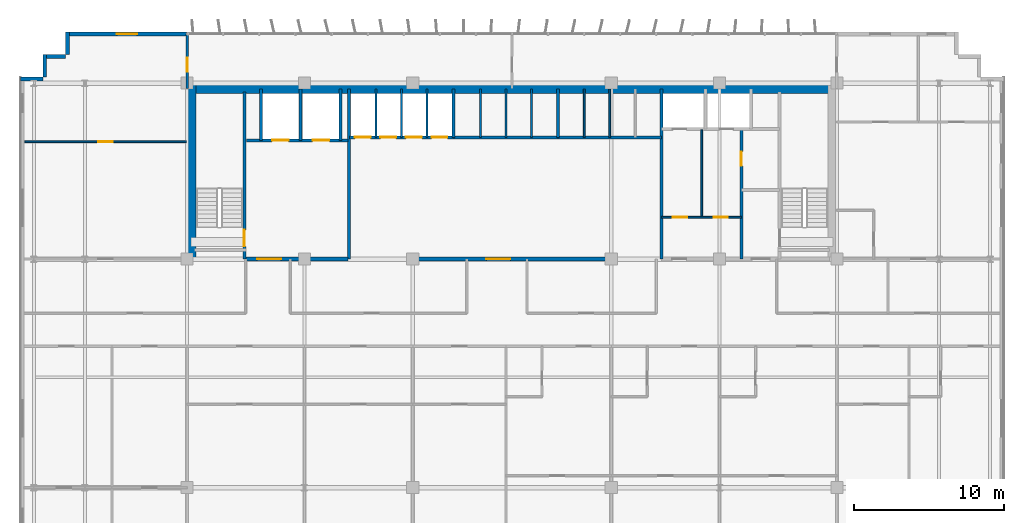
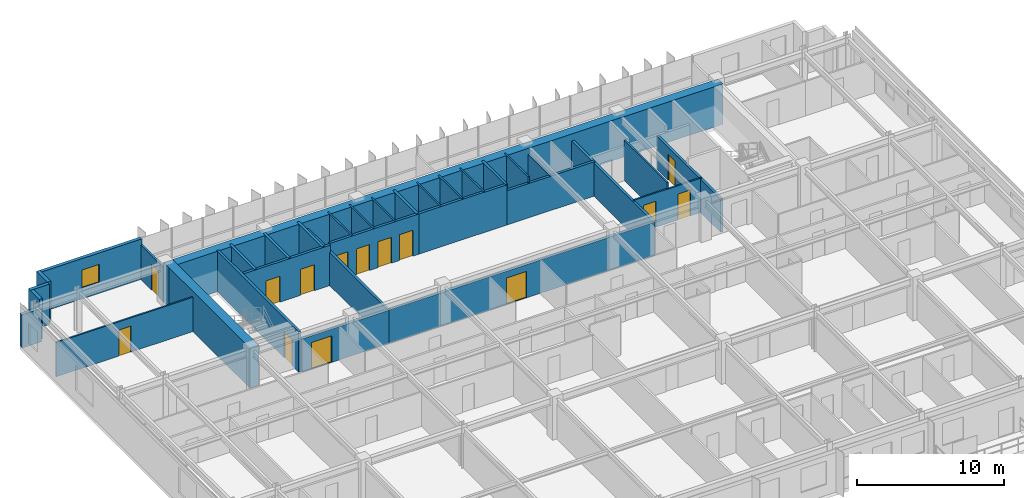
# One storey, part 17 of 22: 34 walls, 14 doors, 1 window, 15 openings.
"""IFC4 building model written with IfcOpenShell, lengths in metres."""

import ifcopenshell
import ifcopenshell.guid

model = None  # the IFC model being written
_history = None  # IfcOwnerHistory: only IFC2X3 demands one
_inside = {}  # id of a spatial element -> (the spatial element, [elements in it])
_under = {}  # id of a project, library or spatial element -> (it, [spatial elements below it])
_declared = {}  # id of a project -> (the project, [libraries it declares])
_typed = {}  # id of a type object -> (the type object, [elements of that type])
_made_of = {}  # id of a material, layer set ... -> (it, [elements and type objects made of it])


def new_model(schema):
    """Start an empty IFC model of exactly this schema.

    Asked for "IFC4X3", IfcOpenShell would pick the latest addendum, in which some entities
    have other attributes; the version numbers below select the first issue.
    IFC2X3 requires an IfcOwnerHistory on every rooted entity: one is made here for all.
    """
    global model, _history
    if schema == "IFC4X3":
        model = ifcopenshell.file(schema_version=(4, 3, 0, 0))
    else:
        model = ifcopenshell.file(schema=schema)
    _inside.clear()
    _under.clear()
    _declared.clear()
    _typed.clear()
    _made_of.clear()
    _history = None
    if model.schema == "IFC2X3":
        org = make("IfcOrganization", Name="unknown")
        user = make(
            "IfcPersonAndOrganization",
            ThePerson=make("IfcPerson", FamilyName="unknown"),
            TheOrganization=org,
        )
        app = make(
            "IfcApplication",
            ApplicationDeveloper=org,
            Version="unknown",
            ApplicationFullName="unknown",
            ApplicationIdentifier="unknown",
        )
        _history = make(
            "IfcOwnerHistory",
            OwningUser=user,
            OwningApplication=app,
            ChangeAction="ADDED",
            CreationDate=0,
        )
    return model


def make(cls, **values):
    """One entity of the class cls with the attributes given. An attribute that is None is left unset."""
    return model.create_entity(
        cls, **{name: value for name, value in values.items() if value is not None}
    )


def rooted(cls, **values):
    """An entity with a GlobalId (a new one), such as an element, a storey or a relation."""
    return make(cls, GlobalId=ifcopenshell.guid.new(), OwnerHistory=_history, **values)


def si_unit(unit_type, name, prefix=None):
    """IfcSIUnit, for example si_unit("LENGTHUNIT", "METRE", prefix="MILLI")."""
    return make("IfcSIUnit", UnitType=unit_type, Prefix=prefix, Name=name)


def assignment(units):
    """IfcUnitAssignment: the units of a project."""
    return None if units is None else make("IfcUnitAssignment", Units=units)


def point(xyz):
    """IfcCartesianPoint."""
    return None if xyz is None else make("IfcCartesianPoint", Coordinates=xyz)


def direction(xyz):
    """IfcDirection."""
    return None if xyz is None else make("IfcDirection", DirectionRatios=xyz)


def frame(location, z_axis=None, x_axis=None):
    """IfcAxis2Placement3D, a coordinate frame: its origin and axes. An axis left out is left unset."""
    return make(
        "IfcAxis2Placement3D",
        Location=point(location),
        Axis=direction(z_axis),
        RefDirection=direction(x_axis),
    )


def frame_2d(location, x_axis=None):
    """IfcAxis2Placement2D, a coordinate frame in the plane: its origin and x axis."""
    return make(
        "IfcAxis2Placement2D", Location=point(location), RefDirection=direction(x_axis)
    )


def origin():
    """The frame at (0, 0, 0) with its axes left unset."""
    return frame((0.0, 0.0, 0.0))


def place(relative_to, where):
    """IfcLocalPlacement: puts the frame where relative to a parent placement (None: the world)."""
    return make(
        "IfcLocalPlacement", PlacementRelTo=relative_to, RelativePlacement=where
    )


def context(
    kind, dimensions, precision=None, world=None, true_north=None, identifier=None
):
    """IfcGeometricRepresentationContext, for example the 3D "Model" context."""
    return make(
        "IfcGeometricRepresentationContext",
        ContextIdentifier=identifier,
        ContextType=kind,
        CoordinateSpaceDimension=dimensions,
        Precision=precision,
        WorldCoordinateSystem=world,
        TrueNorth=true_north,
    )


def subcontext(parent, identifier, kind, view, scale=None):
    """IfcGeometricRepresentationSubContext, for example "Body" below "Model"."""
    return make(
        "IfcGeometricRepresentationSubContext",
        ContextIdentifier=identifier,
        ContextType=kind,
        ParentContext=parent,
        TargetScale=scale,
        TargetView=view,
    )


def project(units=None, contexts=None):
    """IfcProject with its units and contexts."""
    return rooted(
        "IfcProject",
        Name="project",
        RepresentationContexts=contexts,
        UnitsInContext=assignment(units),
    )


def spatial(cls, under=None, at=None, **own):
    """A site, building, storey or space (cls), placed at a placement, below another one or the project."""
    s = rooted(cls, ObjectPlacement=at, **own)
    if under is not None:
        _under.setdefault(under.id(), (under, []))[1].append(s)
    return s


def profile(cls, at=None, kind="AREA", **sizes):
    """A parametric profile (cls). Its sizes go by their IFC names, for example OverallWidth=200.0."""
    return make(cls, ProfileType=kind, Position=at, **sizes)


def rectangle(**sizes):
    """IfcRectangleProfileDef."""
    return profile("IfcRectangleProfileDef", **sizes)


def extrude(swept, where, along, depth):
    """IfcExtrudedAreaSolid: the profile swept, set in the frame where, extruded along a direction by depth."""
    return make(
        "IfcExtrudedAreaSolid",
        SweptArea=swept,
        Position=where,
        ExtrudedDirection=direction(along),
        Depth=depth,
    )


def shape(context_of_items, identifier, shape_type, items):
    """IfcShapeRepresentation: the items that make up one representation, for example the "Body"."""
    return make(
        "IfcShapeRepresentation",
        ContextOfItems=context_of_items,
        RepresentationIdentifier=identifier,
        RepresentationType=shape_type,
        Items=items,
    )


def source(mapping_origin, context_of_items, identifier, shape_type, items):
    """IfcRepresentationMap: a shape defined once, which mapped items show again and again."""
    return make(
        "IfcRepresentationMap",
        MappingOrigin=mapping_origin,
        MappedRepresentation=shape(context_of_items, identifier, shape_type, items),
    )


def transform(
    local_origin,
    x_axis=None,
    y_axis=None,
    z_axis=None,
    scale=None,
    scale2=None,
    scale3=None,
    uniform=True,
):
    """IfcCartesianTransformationOperator3D, or its non-uniform kind. x_axis, y_axis, z_axis: its Axis1, 2, 3."""
    if uniform:
        return make(
            "IfcCartesianTransformationOperator3D",
            Axis1=direction(x_axis),
            Axis2=direction(y_axis),
            LocalOrigin=point(local_origin),
            Scale=scale,
            Axis3=direction(z_axis),
        )
    return make(
        "IfcCartesianTransformationOperator3DnonUniform",
        Axis1=direction(x_axis),
        Axis2=direction(y_axis),
        LocalOrigin=point(local_origin),
        Scale=scale,
        Axis3=direction(z_axis),
        Scale2=scale2,
        Scale3=scale3,
    )


def mapped(mapping_source, mapping_target):
    """IfcMappedItem: shows the shape of a source again, moved by a transform."""
    return make(
        "IfcMappedItem", MappingSource=mapping_source, MappingTarget=mapping_target
    )


def material(Name=None, Category=None):
    """IfcMaterial."""
    return make("IfcMaterial", Name=Name, Category=Category)


def layer(
    of_material, thickness, ventilated=None, Name=None, Category=None, Priority=None
):
    """IfcMaterialLayer: one layer of a wall or slab, of a material (None: an air gap)."""
    return make(
        "IfcMaterialLayer",
        Material=of_material,
        LayerThickness=thickness,
        IsVentilated=ventilated,
        Name=Name,
        Category=Category,
        Priority=Priority,
    )


def layer_set(layers, Name=None):
    """IfcMaterialLayerSet."""
    return make("IfcMaterialLayerSet", MaterialLayers=layers, LayerSetName=Name)


def made_of(thing, what):
    """Note that an element or type object is made of a material, layer set ...; save() writes the relation."""
    if what is not None:
        _made_of.setdefault(what.id(), (what, []))[1].append(thing)
    return thing


def type_object(cls, material=None, **own):
    """A type object (cls), such as IfcWallType, which elements share."""
    return made_of(rooted(cls, **own), material)


def element(
    cls,
    number,
    at=None,
    inside=None,
    cuts=None,
    type_object=None,
    material=None,
    context=None,
    identifier="Body",
    shape_type=None,
    held_by="IfcProductDefinitionShape",
    body=None,
    shapes=None,
    **own,
):
    """One element of the class cls, such as IfcWall. Its Tag is "e" and its number.

    at: its placement. inside: the storey or other place that contains it. cuts: it is an
    opening in that element (IfcRelVoidsElement). A single representation is given by context,
    identifier, shape_type and body (its items); several are given by shapes. held_by: the class
    of the entity that holds the representations. save() writes the other relations.
    """
    e = rooted(cls, Tag="e%d" % number, ObjectPlacement=at, **own)
    if body is not None:
        shapes = [shape(context, identifier, shape_type, body)]
    if shapes is not None:
        e.Representation = make(held_by, Representations=shapes)
    if inside is not None:
        _inside.setdefault(inside.id(), (inside, []))[1].append(e)
    if cuts is not None:
        rooted(
            "IfcRelVoidsElement", RelatingBuildingElement=cuts, RelatedOpeningElement=e
        )
    if type_object is not None:
        _typed.setdefault(type_object.id(), (type_object, []))[1].append(e)
    return made_of(e, material)


def fill(opening, filler):
    """IfcRelFillsElement: the door or window that sits in an opening."""
    return rooted(
        "IfcRelFillsElement",
        RelatingOpeningElement=opening,
        RelatedBuildingElement=filler,
    )


def aggregate(whole, parts):
    """IfcRelAggregates: a whole, such as a stair, and the parts it consists of."""
    return rooted("IfcRelAggregates", RelatingObject=whole, RelatedObjects=parts)


def save(model, path):
    """Write the relations noted so far, then the file.

    IfcRelAggregates (storeys below a building ...), IfcRelContainedInSpatialStructure (elements
    in a storey), IfcRelDefinesByType, IfcRelAssociatesMaterial and IfcRelDeclares: one each for
    every whole, place, type object, material and project.
    """
    for whole, parts in _under.values():
        aggregate(whole, parts)
    for where, things in _inside.values():
        rooted(
            "IfcRelContainedInSpatialStructure",
            RelatedElements=things,
            RelatingStructure=where,
        )
    for kind, things in _typed.values():
        rooted("IfcRelDefinesByType", RelatedObjects=things, RelatingType=kind)
    for what, things in _made_of.values():
        rooted("IfcRelAssociatesMaterial", RelatedObjects=things, RelatingMaterial=what)
    for by, libraries in _declared.values():
        rooted("IfcRelDeclares", RelatingContext=by, RelatedDefinitions=libraries)
    model.write(path)


model = new_model("IFC4")

# Units and contexts
model_context = context("Model", 3, precision=1e-05, world=origin(), true_north=direction((0.0, 1.0)))
body_context = subcontext(model_context, "Body", "Model", "MODEL_VIEW")
ifc_project = project(units=[si_unit("LENGTHUNIT", "METRE"), si_unit("AREAUNIT", "SQUARE_METRE"), si_unit("VOLUMEUNIT", "CUBIC_METRE"), si_unit("PLANEANGLEUNIT", "RADIAN"), si_unit("MASSUNIT", "GRAM", prefix="KILO")], contexts=[model_context])

# Site, building, storey
site_placement = place(None, origin())
site = spatial("IfcSite", under=ifc_project, at=site_placement, CompositionType="ELEMENT")
building_placement = place(site_placement, origin())
building = spatial("IfcBuilding", under=site, at=building_placement, Name="Trelvane Seafront Commons", CompositionType="ELEMENT")
storey_placement = place(building_placement, frame((0.0, 0.0, 85.300048828125)))
storey = spatial("IfcBuildingStorey", under=building, at=storey_placement, Name="L21", CompositionType="ELEMENT", Elevation=85.300048828125)

# Wall, opening, window
ifc_material_1 = material(Name="Precast concrete C40/50", Category="concrete")
ifc_layer_1 = layer(ifc_material_1, 0.260009765625, Name="ARCH-WALL-EXT260")
ifc_layer_set_1 = layer_set([ifc_layer_1], Name="Precast concrete C40/50")
wall_type_1 = type_object("IfcWallType", Name="ARCH-WALL-EXT260", PredefinedType="SOLIDWALL", material=ifc_layer_set_1)
wall_1_placement = place(storey_placement, frame((7.60009765625, 48.3701171875, 0.0), z_axis=(0.0, 0.0, 1.0), x_axis=(1.0, 0.0, 0.0)))
wall_1 = element("IfcWall", 1, at=wall_1_placement, inside=storey, type_object=wall_type_1, Name="EW-L21-NW-0370", PredefinedType="SOLIDWALL", context=body_context, shape_type="SweptSolid", body=[
    extrude(rectangle(XDim=8.0, YDim=0.260009765625, at=frame_2d((4.0, 0.0))), origin(), (0.0, 0.0, 1.0), 3.33984375),
])
opening_1_placement = place(wall_1_placement, frame((3.324951171875, 0.0, 0.89990234375)))
opening_1 = element("IfcOpeningElement", 2, at=opening_1_placement, cuts=wall_1, Name="Opening W09", PredefinedType="OPENING", context=body_context, shape_type="SweptSolid", body=[
    extrude(rectangle(XDim=1.35009765625, YDim=1.5, at=frame_2d((0.675048828125, 0.75))), frame((0.0, 0.139892578125, 0.0), z_axis=(0.0, -1.0, 0.0), x_axis=(1.0, 0.0, 0.0)), (0.0, 0.0, 1.0), 0.280029296875),
])
ifc_material_2 = material(Name="Low-E coastal double glazing", Category="glass")
window_type = type_object("IfcWindowType", Name="ARCH-WIN-W09", PartitioningType="SINGLE_PANEL", PredefinedType="WINDOW", material=ifc_material_2)
shared_shape_1 = source(origin(), body_context, "Body", "SweptSolid", [
    extrude(rectangle(XDim=1.35009765625, YDim=1.5, at=frame_2d((0.675048828125, 0.75))), frame((0.0, 0.030029296875, 0.0), z_axis=(0.0, -1.0, 0.0), x_axis=(1.0, 0.0, 0.0)), (0.0, 0.0, 1.0), 0.06005859375),
])
window_placement = place(opening_1_placement, origin())
window = element("IfcWindow", 3, at=window_placement, inside=storey, type_object=window_type, Name="WIN-L21-00422", OverallHeight=1.5, OverallWidth=1.35009765625, PartitioningType="SINGLE_PANEL", PredefinedType="WINDOW", context=body_context, shape_type="MappedRepresentation", body=[
    mapped(shared_shape_1, transform((0.0, 0.0, 0.0), x_axis=(1.0, 0.0, 0.0), y_axis=(0.0, 1.0, 0.0), z_axis=(0.0, 0.0, 1.0), scale=1.0)),
])
fill(opening_1, window)

# Walls
wall_2_placement = place(storey_placement, frame((4.5, 45.3701171875, 0.0), z_axis=(0.0, 0.0, 1.0), x_axis=(1.0, 0.0, 0.0)))
element("IfcWall", 4, at=wall_2_placement, inside=storey, type_object=wall_type_1, Name="EW-L21-00376", PredefinedType="SOLIDWALL", context=body_context, shape_type="SweptSolid", body=[
    extrude(rectangle(XDim=1.5, YDim=0.260009765625, at=frame_2d((0.75, 0.0))), origin(), (0.0, 0.0, 1.0), 2.751953125),
])
for number, where, z_axis, x_axis, name in (
    (5, (6.1298828125, 45.5, 0.0), (0.0, 0.0, 1.0), (0.0, 1.0, 0.0), "EW-L21-00377"),
    (6, (6.0, 46.8701171875, 0.0), (0.0, 0.0, 1.0), (1.0, 0.0, 0.0), "EW-L21-00378"),
    (7, (7.6298828125, 47.0, 0.0), (0.0, 0.0, 1.0), (0.0, 1.0, 0.0), "EW-L21-00379"),
):
    element("IfcWall", number, at=place(storey_placement, frame(where, z_axis=z_axis, x_axis=x_axis)), inside=storey, type_object=wall_type_1, Name=name, PredefinedType="SOLIDWALL", context=body_context, shape_type="SweptSolid", body=[
        extrude(rectangle(XDim=1.5, YDim=0.260009765625, at=frame_2d((0.75, 0.0))), origin(), (0.0, 0.0, 1.0), 3.33984375),
    ])

# Wall, opening, door
ifc_material_3 = material(Name="Concrete C40/50", Category="concrete")
ifc_layer_2 = layer(ifc_material_3, 0.199951171875, Name="ARCH-WALL-FIRE200")
ifc_layer_set_2 = layer_set([ifc_layer_2], Name="Concrete C40/50")
wall_type_2 = type_object("IfcWallType", Name="ARCH-WALL-FIRE200", PredefinedType="PARTITIONING", material=ifc_layer_set_2)
wall_3_placement = place(storey_placement, frame((52.449951171875, 33.39990234375, 0.0), z_axis=(0.0, 0.0, 1.0), x_axis=(0.0, 1.0, 0.0)))
wall_3 = element("IfcWall", 8, at=wall_3_placement, inside=storey, type_object=wall_type_2, Name="W-L21-ST2V-W-033", PredefinedType="PARTITIONING", context=body_context, shape_type="SweptSolid", body=[
    extrude(rectangle(XDim=8.650146484375, YDim=0.199951171875, at=frame_2d((4.3251953125, 0.0))), origin(), (0.0, 0.0, 1.0), 2.751953125),
])
opening_2_placement = place(wall_3_placement, frame((6.199951171875, 0.0, 0.0)))
opening_2 = element("IfcOpeningElement", 9, at=opening_2_placement, cuts=wall_3, Name="Opening FD-L21-13", PredefinedType="OPENING", context=body_context, shape_type="SweptSolid", body=[
    extrude(rectangle(XDim=0.949951171875, YDim=2.14990234375, at=frame_2d((0.47509765625, 1.074951171875))), frame((0.0, 0.10986328125, 0.0), z_axis=(0.0, -1.0, 0.0), x_axis=(1.0, 0.0, 0.0)), (0.0, 0.0, 1.0), 0.219970703125),
])
ifc_material_4 = material(Name="Powder-coated aluminium frame", Category="aluminium")
door_type_1 = type_object("IfcDoorType", Name="ARCH-DR-FD60-950", OperationType="NOTDEFINED", PredefinedType="DOOR", material=ifc_material_4)
shared_shape_2 = source(origin(), body_context, "Body", "SweptSolid", [
    extrude(rectangle(XDim=0.949951171875, YDim=2.14990234375, at=frame_2d((0.47509765625, 1.074951171875))), frame((0.0, 0.02490234375, 0.0), z_axis=(0.0, -1.0, 0.0), x_axis=(1.0, 0.0, 0.0)), (0.0, 0.0, 1.0), 0.050048828125),
])
door_1_placement = place(opening_2_placement, origin())
door_1 = element("IfcDoor", 10, at=door_1_placement, inside=storey, type_object=door_type_1, Name="L21 Cleaner Store Door", OperationType="SINGLE_SWING_LEFT", OverallHeight=2.14990234375, OverallWidth=0.949951171875, PredefinedType="DOOR", context=body_context, shape_type="MappedRepresentation", body=[
    mapped(shared_shape_2, transform((0.0, 0.0, 0.0), x_axis=(1.0, 0.0, 0.0), y_axis=(0.0, 1.0, 0.0), z_axis=(0.0, 0.0, 1.0), scale=1.0)),
])
fill(opening_2, door_1)

ifc_layer_3 = layer(ifc_material_3, 0.25, Name="ARCH-WALL-FIRE250")
ifc_layer_set_3 = layer_set([ifc_layer_3], Name="Concrete C40/50")
wall_type_3 = type_object("IfcWallType", Name="ARCH-WALL-FIRE250", PredefinedType="PARTITIONING", material=ifc_layer_set_3)
wall_4_placement = place(storey_placement, frame((19.5, 33.39990234375, 0.0), z_axis=(0.0, 0.0, 1.0), x_axis=(1.0, 0.0, 0.0)))
wall_4 = element("IfcWall", 11, at=wall_4_placement, inside=storey, type_object=wall_type_3, Name="W-L21-CS-FFL-013", PredefinedType="PARTITIONING", context=body_context, shape_type="SweptSolid", body=[
    extrude(rectangle(XDim=6.800048828125, YDim=0.25, at=frame_2d((3.39990234375, 0.0))), origin(), (0.0, 0.0, 1.0), 2.751953125),
])
opening_3_placement = place(wall_4_placement, frame((0.75, 0.0, 0.0)))
opening_3 = element("IfcOpeningElement", 12, at=opening_3_placement, cuts=wall_4, Name="Opening FD-L21-05", PredefinedType="OPENING", context=body_context, shape_type="SweptSolid", body=[
    extrude(rectangle(XDim=1.60009765625, YDim=2.199951171875, at=frame_2d((0.800048828125, 1.10009765625))), frame((0.0, 0.135009765625, 0.0), z_axis=(0.0, -1.0, 0.0), x_axis=(1.0, 0.0, 0.0)), (0.0, 0.0, 1.0), 0.27001953125),
])
door_type_2 = type_object("IfcDoorType", Name="ARCH-DR-FD60-1600", OperationType="DOUBLE_DOOR_SINGLE_SWING", PredefinedType="DOOR", material=ifc_material_4)
shared_shape_3 = source(origin(), body_context, "Body", "SweptSolid", [
    extrude(rectangle(XDim=1.60009765625, YDim=2.199951171875, at=frame_2d((0.800048828125, 1.10009765625))), frame((0.0, 0.02490234375, 0.0), z_axis=(0.0, -1.0, 0.0), x_axis=(1.0, 0.0, 0.0)), (0.0, 0.0, 1.0), 0.050048828125),
])
door_2_placement = place(opening_3_placement, origin())
door_2 = element("IfcDoor", 13, at=door_2_placement, inside=storey, type_object=door_type_2, Name="L21 Firefighting Lift Lobby Double Fire Door", OperationType="DOUBLE_DOOR_SINGLE_SWING", OverallHeight=2.199951171875, OverallWidth=1.60009765625, PredefinedType="DOOR", context=body_context, shape_type="MappedRepresentation", body=[
    mapped(shared_shape_3, transform((0.0, 0.0, 0.0), x_axis=(1.0, 0.0, 0.0), y_axis=(0.0, 1.0, 0.0), z_axis=(0.0, 0.0, 1.0), scale=1.0)),
])
fill(opening_3, door_2)

wall_5_placement = place(storey_placement, frame((26.300048828125, 33.39990234375, 0.0), z_axis=(0.0, 0.0, 1.0), x_axis=(1.0, 0.0, 0.0)))
wall_5 = element("IfcWall", 14, at=wall_5_placement, inside=storey, type_object=wall_type_3, Name="W-L21-CS-PAX-029", PredefinedType="PARTITIONING", context=body_context, shape_type="SweptSolid", body=[
    extrude(rectangle(XDim=20.849853515625, YDim=0.25, at=frame_2d((10.4248046875, 0.0))), origin(), (0.0, 0.0, 1.0), 2.751953125),
])
opening_4_placement = place(wall_5_placement, frame((9.199951171875, 0.0, 0.0)))
opening_4 = element("IfcOpeningElement", 15, at=opening_4_placement, cuts=wall_5, Name="Opening FD-L21-10", PredefinedType="OPENING", context=body_context, shape_type="SweptSolid", body=[
    extrude(rectangle(XDim=1.60009765625, YDim=2.199951171875, at=frame_2d((0.800048828125, 1.10009765625))), frame((0.0, 0.135009765625, 0.0), z_axis=(0.0, -1.0, 0.0), x_axis=(1.0, 0.0, 0.0)), (0.0, 0.0, 1.0), 0.27001953125),
])
door_3_placement = place(opening_4_placement, origin())
door_3 = element("IfcDoor", 16, at=door_3_placement, inside=storey, type_object=door_type_2, Name="L21 Passenger Lift Lobby Double Door", OperationType="DOUBLE_DOOR_SINGLE_SWING", OverallHeight=2.199951171875, OverallWidth=1.60009765625, PredefinedType="DOOR", context=body_context, shape_type="MappedRepresentation", body=[
    mapped(shared_shape_3, transform((0.0, 0.0, 0.0), x_axis=(1.0, 0.0, 0.0), y_axis=(0.0, 1.0, 0.0), z_axis=(0.0, 0.0, 1.0), scale=1.0)),
])
fill(opening_4, door_3)

# Walls
ifc_material_5 = material(Name="Gypsum Drywall Acoustic Partition")
ifc_layer_4 = layer(ifc_material_5, 0.1201171875, Name="ARCH-WALL-PART120")
ifc_layer_set_4 = layer_set([ifc_layer_4], Name="Gypsum Drywall Acoustic Partition")
wall_type_4 = type_object("IfcWallType", Name="ARCH-WALL-PART120", PredefinedType="PARTITIONING", material=ifc_layer_set_4)
for number, where, z_axis, x_axis, name in (
    (17, (28.14990234375, 41.5, 0.0), (0.0, 0.0, 1.0), (0.0, 1.0, 0.0), "W-L21-PL-DIV1-016"),
    (18, (29.85009765625, 41.5, 0.0), (0.0, 0.0, 1.0), (0.0, 1.0, 0.0), "W-L21-PL-DIV2-017"),
    (19, (31.550048828125, 41.5, 0.0), (0.0, 0.0, 1.0), (0.0, 1.0, 0.0), "W-L21-PL-DIV3-018"),
    (20, (35.10009765625, 41.5, 0.0), (0.0, 0.0, 1.0), (0.0, 1.0, 0.0), "W-L21-PM-DIV1-020"),
    (21, (36.800048828125, 41.5, 0.0), (0.0, 0.0, 1.0), (0.0, 1.0, 0.0), "W-L21-PM-DIV2-021"),
    (22, (38.5, 41.5, 0.0), (0.0, 0.0, 1.0), (0.0, 1.0, 0.0), "W-L21-PM-DIV3-022"),
    (23, (42.0, 41.5, 0.0), (0.0, 0.0, 1.0), (0.0, 1.0, 0.0), "W-L21-PH-DIV1-025"),
):
    element("IfcWall", number, at=place(storey_placement, frame(where, z_axis=z_axis, x_axis=x_axis)), inside=storey, type_object=wall_type_4, Name=name, PredefinedType="PARTITIONING", context=body_context, shape_type="SweptSolid", body=[
        extrude(rectangle(XDim=3.199951171875, YDim=0.1201171875, at=frame_2d((1.60009765625, 0.0))), origin(), (0.0, 0.0, 1.0), 3.33984375),
    ])
wall_6_placement = place(storey_placement, frame((43.699951171875, 41.5, 0.0), z_axis=(0.0, 0.0, 1.0), x_axis=(0.0, 1.0, 0.0)))
element("IfcWall", 24, at=wall_6_placement, inside=storey, type_object=wall_type_4, Name="W-L21-PH-DIV2-026", PredefinedType="PARTITIONING", context=body_context, shape_type="SweptSolid", body=[
    extrude(rectangle(XDim=3.199951171875, YDim=0.1201171875, at=frame_2d((1.60009765625, 0.0))), origin(), (0.0, 0.0, 1.0), 2.83984375),
])

# Wall, openings, doors
wall_7_placement = place(storey_placement, frame((47.14990234375, 36.179931640625, 0.0), z_axis=(0.0, 0.0, 1.0), x_axis=(1.0, 0.0, 0.0)))
wall_7 = element("IfcWall", 25, at=wall_7_placement, inside=storey, type_object=wall_type_4, Name="W-L21-CYC1-H-035", PredefinedType="PARTITIONING", context=body_context, shape_type="SweptSolid", body=[
    extrude(rectangle(XDim=5.300048828125, YDim=0.1201171875, at=frame_2d((2.64990234375, 0.0))), origin(), (0.0, 0.0, 1.0), 2.83984375),
])
opening_5_placement = place(wall_7_placement, frame((0.75, 0.0, 0.0)))
opening_5 = element("IfcOpeningElement", 26, at=opening_5_placement, cuts=wall_7, Name="Opening D-L21-14", PredefinedType="OPENING", context=body_context, shape_type="SweptSolid", body=[
    extrude(rectangle(XDim=0.949951171875, YDim=2.14990234375, at=frame_2d((0.47509765625, 1.074951171875))), frame((0.0, 0.070068359375, 0.0), z_axis=(0.0, -1.0, 0.0), x_axis=(1.0, 0.0, 0.0)), (0.0, 0.0, 1.0), 0.14013671875),
])
opening_6_placement = place(wall_7_placement, frame((3.449951171875, 0.0, 0.0)))
opening_6 = element("IfcOpeningElement", 27, at=opening_6_placement, cuts=wall_7, Name="Opening D-L21-15", PredefinedType="OPENING", context=body_context, shape_type="SweptSolid", body=[
    extrude(rectangle(XDim=0.949951171875, YDim=2.14990234375, at=frame_2d((0.47509765625, 1.074951171875))), frame((0.0, 0.070068359375, 0.0), z_axis=(0.0, -1.0, 0.0), x_axis=(1.0, 0.0, 0.0)), (0.0, 0.0, 1.0), 0.14013671875),
])
ifc_material_6 = material(Name="Acoustic timber door leaf", Category="wood")
door_type_3 = type_object("IfcDoorType", Name="ARCH-DR-INT950", OperationType="NOTDEFINED", PredefinedType="DOOR", material=ifc_material_6)
door_4_placement = place(opening_5_placement, origin())
door_4 = element("IfcDoor", 28, at=door_4_placement, inside=storey, type_object=door_type_3, Name="L21 Accessible WC Door", OperationType="SINGLE_SWING_RIGHT", OverallHeight=2.14990234375, OverallWidth=0.949951171875, PredefinedType="DOOR", context=body_context, shape_type="MappedRepresentation", body=[
    mapped(shared_shape_2, transform((0.0, 0.0, 0.0), x_axis=(1.0, 0.0, 0.0), y_axis=(0.0, 1.0, 0.0), z_axis=(0.0, 0.0, 1.0), scale=1.0)),
])
fill(opening_5, door_4)
door_5_placement = place(opening_6_placement, origin())
door_5 = element("IfcDoor", 29, at=door_5_placement, inside=storey, type_object=door_type_3, Name="L21 BMS Room Door", OperationType="SINGLE_SWING_LEFT", OverallHeight=2.14990234375, OverallWidth=0.949951171875, PredefinedType="DOOR", context=body_context, shape_type="MappedRepresentation", body=[
    mapped(shared_shape_2, transform((0.0, 0.0, 0.0), x_axis=(1.0, 0.0, 0.0), y_axis=(0.0, 1.0, 0.0), z_axis=(0.0, 0.0, 1.0), scale=1.0)),
])
fill(opening_6, door_5)

# Wall
wall_8_placement = place(storey_placement, frame((49.820068359375, 36.179931640625, 0.0), z_axis=(0.0, 0.0, 1.0), x_axis=(0.0, 1.0, 0.0)))
element("IfcWall", 30, at=wall_8_placement, inside=storey, type_object=wall_type_4, Name="W-L21-CYC1-V-036", PredefinedType="PARTITIONING", context=body_context, shape_type="SweptSolid", body=[
    extrude(rectangle(XDim=5.820068359375, YDim=0.1201171875, at=frame_2d((2.91015625, 0.0))), origin(), (0.0, 0.0, 1.0), 3.33984375),
])

# Wall, opening, door
wall_9_placement = place(storey_placement, frame((4.800048828125, 41.199951171875, 0.0), z_axis=(0.0, 0.0, 1.0), x_axis=(1.0, 0.0, 0.0)))
wall_9 = element("IfcWall", 31, at=wall_9_placement, inside=storey, type_object=wall_type_4, Name="W-L21-NW-LGDV-049", PredefinedType="PARTITIONING", context=body_context, shape_type="SweptSolid", body=[
    extrude(rectangle(XDim=10.75, YDim=0.1201171875, at=frame_2d((5.375, 0.0))), origin(), (0.0, 0.0, 1.0), 2.83984375),
])
opening_7_placement = place(wall_9_placement, frame((4.89990234375, 0.0, 0.0)))
opening_7 = element("IfcOpeningElement", 32, at=opening_7_placement, cuts=wall_9, Name="Opening D-L21-23", PredefinedType="OPENING", context=body_context, shape_type="SweptSolid", body=[
    extrude(rectangle(XDim=0.949951171875, YDim=2.14990234375, at=frame_2d((0.47509765625, 1.074951171875))), frame((0.0, 0.070068359375, 0.0), z_axis=(0.0, -1.0, 0.0), x_axis=(1.0, 0.0, 0.0)), (0.0, 0.0, 1.0), 0.14013671875),
])
door_6_placement = place(opening_7_placement, origin())
door_6 = element("IfcDoor", 33, at=door_6_placement, inside=storey, type_object=door_type_3, Name="L21 Door 23", OperationType="SINGLE_SWING_LEFT", OverallHeight=2.14990234375, OverallWidth=0.949951171875, PredefinedType="DOOR", context=body_context, shape_type="MappedRepresentation", body=[
    mapped(shared_shape_2, transform((0.0, 0.0, 0.0), x_axis=(1.0, 0.0, 0.0), y_axis=(0.0, 1.0, 0.0), z_axis=(0.0, 0.0, 1.0), scale=1.0)),
])
fill(opening_7, door_6)

ifc_layer_5 = layer(ifc_material_5, 0.14990234375, Name="ARCH-WALL-PART150")
ifc_layer_set_5 = layer_set([ifc_layer_5], Name="Gypsum Drywall Acoustic Partition")
wall_type_5 = type_object("IfcWallType", Name="ARCH-WALL-PART150", PredefinedType="PARTITIONING", material=ifc_layer_set_5)
wall_10_placement = place(storey_placement, frame((15.60009765625, 44.75, 0.0), z_axis=(0.0, 0.0, 1.0), x_axis=(0.0, 1.0, 0.0)))
wall_10 = element("IfcWall", 34, at=wall_10_placement, inside=storey, type_object=wall_type_5, Name="W-L21-N-LINK-W-058", PredefinedType="PARTITIONING", context=body_context, shape_type="SweptSolid", body=[
    extrude(rectangle(XDim=3.610107421875, YDim=0.14990234375, at=frame_2d((1.80517578125, 0.0))), origin(), (0.0, 0.0, 1.0), 2.83984375),
])
opening_8_placement = place(wall_10_placement, frame((1.10009765625, 0.0, 0.0)))
opening_8 = element("IfcOpeningElement", 35, at=opening_8_placement, cuts=wall_10, Name="Opening FD-L21-30", PredefinedType="OPENING", context=body_context, shape_type="SweptSolid", body=[
    extrude(rectangle(XDim=0.949951171875, YDim=2.14990234375, at=frame_2d((0.47509765625, 1.074951171875))), frame((0.0, 0.0849609375, 0.0), z_axis=(0.0, -1.0, 0.0), x_axis=(1.0, 0.0, 0.0)), (0.0, 0.0, 1.0), 0.169921875),
])
door_7_placement = place(opening_8_placement, origin())
door_7 = element("IfcDoor", 36, at=door_7_placement, inside=storey, type_object=door_type_1, Name="L21 Door 30", OperationType="SINGLE_SWING_RIGHT", OverallHeight=2.14990234375, OverallWidth=0.949951171875, PredefinedType="DOOR", context=body_context, shape_type="MappedRepresentation", body=[
    mapped(shared_shape_2, transform((0.0, 0.0, 0.0), x_axis=(1.0, 0.0, 0.0), y_axis=(0.0, 1.0, 0.0), z_axis=(0.0, 0.0, 1.0), scale=1.0)),
])
fill(opening_8, door_7)

# Wall, openings, doors
ifc_layer_6 = layer(ifc_material_3, 0.199951171875, Name="ARCH-WALL-SHAFT200")
ifc_layer_set_6 = layer_set([ifc_layer_6], Name="Concrete C40/50")
wall_type_6 = type_object("IfcWallType", Name="ARCH-WALL-SHAFT200", PredefinedType="SOLIDWALL", material=ifc_layer_set_6)
wall_11_placement = place(storey_placement, frame((19.550048828125, 41.300048828125, 0.0), z_axis=(0.0, 0.0, 1.0), x_axis=(1.0, 0.0, 0.0)))
wall_11 = element("IfcWall", 37, at=wall_11_placement, inside=storey, type_object=wall_type_6, Name="W-L21-FFL-FRONT-008", PredefinedType="SOLIDWALL", context=body_context, shape_type="SweptSolid", body=[
    extrude(rectangle(XDim=6.75, YDim=0.199951171875, at=frame_2d((3.375, 0.0))), origin(), (0.0, 0.0, 1.0), 3.33984375),
])
opening_9_placement = place(wall_11_placement, frame((1.699951171875, 0.0, 0.0)))
opening_9 = element("IfcOpeningElement", 38, at=opening_9_placement, cuts=wall_11, Name="Opening LD-FF1-L21", PredefinedType="OPENING", context=body_context, shape_type="SweptSolid", body=[
    extrude(rectangle(XDim=1.10009765625, YDim=2.14990234375, at=frame_2d((0.550048828125, 1.074951171875))), frame((0.0, 0.10986328125, 0.0), z_axis=(0.0, -1.0, 0.0), x_axis=(1.0, 0.0, 0.0)), (0.0, 0.0, 1.0), 0.219970703125),
])
opening_10_placement = place(wall_11_placement, frame((4.39990234375, 0.0, 0.0)))
opening_10 = element("IfcOpeningElement", 39, at=opening_10_placement, cuts=wall_11, Name="Opening LD-FF2-L21", PredefinedType="OPENING", context=body_context, shape_type="SweptSolid", body=[
    extrude(rectangle(XDim=1.10009765625, YDim=2.14990234375, at=frame_2d((0.550048828125, 1.074951171875))), frame((0.0, 0.10986328125, 0.0), z_axis=(0.0, -1.0, 0.0), x_axis=(1.0, 0.0, 0.0)), (0.0, 0.0, 1.0), 0.219970703125),
])
ifc_material_7 = material(Name="Stainless steel balustrade", Category="steel")
door_type_4 = type_object("IfcDoorType", Name="ARCH-DR-LD1100", OperationType="DOUBLE_DOOR_SLIDING", PredefinedType="DOOR", material=ifc_material_7)
shared_shape_4 = source(origin(), body_context, "Body", "SweptSolid", [
    extrude(rectangle(XDim=1.10009765625, YDim=2.14990234375, at=frame_2d((0.550048828125, 1.074951171875))), frame((0.0, 0.02490234375, 0.0), z_axis=(0.0, -1.0, 0.0), x_axis=(1.0, 0.0, 0.0)), (0.0, 0.0, 1.0), 0.050048828125),
])
door_8_placement = place(opening_9_placement, origin())
door_8 = element("IfcDoor", 40, at=door_8_placement, inside=storey, type_object=door_type_4, Name="L21 Firefighting Lift FFL-1 Landing Door", OperationType="DOUBLE_DOOR_SLIDING", OverallHeight=2.14990234375, OverallWidth=1.10009765625, PredefinedType="DOOR", context=body_context, shape_type="MappedRepresentation", body=[
    mapped(shared_shape_4, transform((0.0, 0.0, 0.0), x_axis=(1.0, 0.0, 0.0), y_axis=(0.0, 1.0, 0.0), z_axis=(0.0, 0.0, 1.0), scale=1.0)),
])
fill(opening_9, door_8)
door_9_placement = place(opening_10_placement, origin())
door_9 = element("IfcDoor", 41, at=door_9_placement, inside=storey, type_object=door_type_4, Name="L21 Firefighting Lift FFL-2 Landing Door", OperationType="DOUBLE_DOOR_SLIDING", OverallHeight=2.14990234375, OverallWidth=1.10009765625, PredefinedType="DOOR", context=body_context, shape_type="MappedRepresentation", body=[
    mapped(shared_shape_4, transform((0.0, 0.0, 0.0), x_axis=(1.0, 0.0, 0.0), y_axis=(0.0, 1.0, 0.0), z_axis=(0.0, 0.0, 1.0), scale=1.0)),
])
fill(opening_10, door_9)

# Walls
for number, where, z_axis, x_axis, name in (
    (42, (20.5, 41.300048828125, 0.0), (0.0, 0.0, 1.0), (0.0, 1.0, 0.0), "W-L21-FFL-SH-W-009"),
    (43, (23.14990234375, 41.300048828125, 0.0), (0.0, 0.0, 1.0), (0.0, 1.0, 0.0), "W-L21-FFL-DIV-010"),
    (44, (25.800048828125, 41.300048828125, 0.0), (0.0, 0.0, 1.0), (0.0, 1.0, 0.0), "W-L21-FFL-SH-E-011"),
):
    element("IfcWall", number, at=place(storey_placement, frame(where, z_axis=z_axis, x_axis=x_axis)), inside=storey, type_object=wall_type_6, Name=name, PredefinedType="SOLIDWALL", context=body_context, shape_type="SweptSolid", body=[
        extrude(rectangle(XDim=3.39990234375, YDim=0.199951171875, at=frame_2d((1.699951171875, 0.0))), origin(), (0.0, 0.0, 1.0), 3.33984375),
    ])
wall_12_placement = place(storey_placement, frame((26.35009765625, 33.39990234375, 0.0), z_axis=(0.0, 0.0, 1.0), x_axis=(0.0, 1.0, 0.0)))
element("IfcWall", 45, at=wall_12_placement, inside=storey, type_object=wall_type_6, Name="W-L21-FFL-EAST-012", PredefinedType="SOLIDWALL", context=body_context, shape_type="SweptSolid", body=[
    extrude(rectangle(XDim=11.300048828125, YDim=0.199951171875, at=frame_2d((5.64990234375, 0.0))), origin(), (0.0, 0.0, 1.0), 2.751953125),
])

# Wall, openings, doors
wall_13_placement = place(storey_placement, frame((26.39990234375, 41.5, 0.0), z_axis=(0.0, 0.0, 1.0), x_axis=(1.0, 0.0, 0.0)))
wall_13 = element("IfcWall", 46, at=wall_13_placement, inside=storey, type_object=wall_type_6, Name="W-L21-PL-FRONT-014", PredefinedType="SOLIDWALL", context=body_context, shape_type="SweptSolid", body=[
    extrude(rectangle(XDim=6.9501953125, YDim=0.199951171875, at=frame_2d((3.47509765625, 0.0))), origin(), (0.0, 0.0, 1.0), 3.33984375),
])
opening_11_placement = place(wall_13_placement, frame((0.35009765625, 0.0, 0.0)))
opening_11 = element("IfcOpeningElement", 47, at=opening_11_placement, cuts=wall_13, Name="Opening LD-PL1-L21", PredefinedType="OPENING", context=body_context, shape_type="SweptSolid", body=[
    extrude(rectangle(XDim=1.050048828125, YDim=2.14990234375, at=frame_2d((0.52490234375, 1.074951171875))), frame((0.0, 0.10986328125, 0.0), z_axis=(0.0, -1.0, 0.0), x_axis=(1.0, 0.0, 0.0)), (0.0, 0.0, 1.0), 0.219970703125),
])
opening_12_placement = place(wall_13_placement, frame((2.050048828125, 0.0, 0.0)))
opening_12 = element("IfcOpeningElement", 48, at=opening_12_placement, cuts=wall_13, Name="Opening LD-PL2-L21", PredefinedType="OPENING", context=body_context, shape_type="SweptSolid", body=[
    extrude(rectangle(XDim=1.050048828125, YDim=2.14990234375, at=frame_2d((0.52490234375, 1.074951171875))), frame((0.0, 0.10986328125, 0.0), z_axis=(0.0, -1.0, 0.0), x_axis=(1.0, 0.0, 0.0)), (0.0, 0.0, 1.0), 0.219970703125),
])
opening_13_placement = place(wall_13_placement, frame((3.75, 0.0, 0.0)))
opening_13 = element("IfcOpeningElement", 49, at=opening_13_placement, cuts=wall_13, Name="Opening LD-PL3-L21", PredefinedType="OPENING", context=body_context, shape_type="SweptSolid", body=[
    extrude(rectangle(XDim=1.050048828125, YDim=2.14990234375, at=frame_2d((0.52490234375, 1.074951171875))), frame((0.0, 0.10986328125, 0.0), z_axis=(0.0, -1.0, 0.0), x_axis=(1.0, 0.0, 0.0)), (0.0, 0.0, 1.0), 0.219970703125),
])
opening_14_placement = place(wall_13_placement, frame((5.449951171875, 0.0, 0.0)))
opening_14 = element("IfcOpeningElement", 50, at=opening_14_placement, cuts=wall_13, Name="Opening LD-PL4-L21", PredefinedType="OPENING", context=body_context, shape_type="SweptSolid", body=[
    extrude(rectangle(XDim=1.050048828125, YDim=2.14990234375, at=frame_2d((0.52490234375, 1.074951171875))), frame((0.0, 0.10986328125, 0.0), z_axis=(0.0, -1.0, 0.0), x_axis=(1.0, 0.0, 0.0)), (0.0, 0.0, 1.0), 0.219970703125),
])
door_type_5 = type_object("IfcDoorType", Name="ARCH-DR-LD1050", OperationType="DOUBLE_DOOR_SLIDING", PredefinedType="DOOR", material=ifc_material_7)
shared_shape_5 = source(origin(), body_context, "Body", "SweptSolid", [
    extrude(rectangle(XDim=1.050048828125, YDim=2.14990234375, at=frame_2d((0.52490234375, 1.074951171875))), frame((0.0, 0.02490234375, 0.0), z_axis=(0.0, -1.0, 0.0), x_axis=(1.0, 0.0, 0.0)), (0.0, 0.0, 1.0), 0.050048828125),
])
door_10_placement = place(opening_11_placement, origin())
door_10 = element("IfcDoor", 51, at=door_10_placement, inside=storey, type_object=door_type_5, Name="L21 Passenger Lift PL-1 Landing Door", OperationType="DOUBLE_DOOR_SLIDING", OverallHeight=2.14990234375, OverallWidth=1.050048828125, PredefinedType="DOOR", context=body_context, shape_type="MappedRepresentation", body=[
    mapped(shared_shape_5, transform((0.0, 0.0, 0.0), x_axis=(1.0, 0.0, 0.0), y_axis=(0.0, 1.0, 0.0), z_axis=(0.0, 0.0, 1.0), scale=1.0)),
])
fill(opening_11, door_10)
door_11_placement = place(opening_12_placement, origin())
door_11 = element("IfcDoor", 52, at=door_11_placement, inside=storey, type_object=door_type_5, Name="L21 Passenger Lift PL-2 Landing Door", OperationType="DOUBLE_DOOR_SLIDING", OverallHeight=2.14990234375, OverallWidth=1.050048828125, PredefinedType="DOOR", context=body_context, shape_type="MappedRepresentation", body=[
    mapped(shared_shape_5, transform((0.0, 0.0, 0.0), x_axis=(1.0, 0.0, 0.0), y_axis=(0.0, 1.0, 0.0), z_axis=(0.0, 0.0, 1.0), scale=1.0)),
])
fill(opening_12, door_11)
door_12_placement = place(opening_13_placement, origin())
door_12 = element("IfcDoor", 53, at=door_12_placement, inside=storey, type_object=door_type_5, Name="L21 Passenger Lift PL-3 Landing Door", OperationType="DOUBLE_DOOR_SLIDING", OverallHeight=2.14990234375, OverallWidth=1.050048828125, PredefinedType="DOOR", context=body_context, shape_type="MappedRepresentation", body=[
    mapped(shared_shape_5, transform((0.0, 0.0, 0.0), x_axis=(1.0, 0.0, 0.0), y_axis=(0.0, 1.0, 0.0), z_axis=(0.0, 0.0, 1.0), scale=1.0)),
])
fill(opening_13, door_12)
door_13_placement = place(opening_14_placement, origin())
door_13 = element("IfcDoor", 54, at=door_13_placement, inside=storey, type_object=door_type_5, Name="L21 Passenger Lift PL-4 Landing Door", OperationType="DOUBLE_DOOR_SLIDING", OverallHeight=2.14990234375, OverallWidth=1.050048828125, PredefinedType="DOOR", context=body_context, shape_type="MappedRepresentation", body=[
    mapped(shared_shape_5, transform((0.0, 0.0, 0.0), x_axis=(1.0, 0.0, 0.0), y_axis=(0.0, 1.0, 0.0), z_axis=(0.0, 0.0, 1.0), scale=1.0)),
])
fill(opening_14, door_13)

# Walls
wall_14_placement = place(storey_placement, frame((33.300048828125, 41.5, 0.0), z_axis=(0.0, 0.0, 1.0), x_axis=(0.0, 1.0, 0.0)))
element("IfcWall", 55, at=wall_14_placement, inside=storey, type_object=wall_type_6, Name="W-L21-PL-EAST-SH-015", PredefinedType="SOLIDWALL", context=body_context, shape_type="SweptSolid", body=[
    extrude(rectangle(XDim=3.199951171875, YDim=0.199951171875, at=frame_2d((1.60009765625, 0.0))), origin(), (0.0, 0.0, 1.0), 3.33984375),
])
wall_15_placement = place(storey_placement, frame((33.35009765625, 41.5, 0.0), z_axis=(0.0, 0.0, 1.0), x_axis=(1.0, 0.0, 0.0)))
element("IfcWall", 56, at=wall_15_placement, inside=storey, type_object=wall_type_6, Name="W-L21-PM-FRONT-019", PredefinedType="SOLIDWALL", context=body_context, shape_type="SweptSolid", body=[
    extrude(rectangle(XDim=6.89990234375, YDim=0.199951171875, at=frame_2d((3.449951171875, 0.0))), origin(), (0.0, 0.0, 1.0), 3.33984375),
])
wall_16_placement = place(storey_placement, frame((40.25, 41.5, 0.0), z_axis=(0.0, 0.0, 1.0), x_axis=(1.0, 0.0, 0.0)))
element("IfcWall", 57, at=wall_16_placement, inside=storey, type_object=wall_type_6, Name="W-L21-PH-FRONT-023", PredefinedType="SOLIDWALL", context=body_context, shape_type="SweptSolid", body=[
    extrude(rectangle(XDim=6.89990234375, YDim=0.199951171875, at=frame_2d((3.449951171875, 0.0))), origin(), (0.0, 0.0, 1.0), 2.83984375),
])
wall_17_placement = place(storey_placement, frame((40.25, 41.5, 0.0), z_axis=(0.0, 0.0, 1.0), x_axis=(0.0, 1.0, 0.0)))
element("IfcWall", 58, at=wall_17_placement, inside=storey, type_object=wall_type_6, Name="W-L21-PH-WEST-SH-024", PredefinedType="SOLIDWALL", context=body_context, shape_type="SweptSolid", body=[
    extrude(rectangle(XDim=3.199951171875, YDim=0.199951171875, at=frame_2d((1.60009765625, 0.0))), origin(), (0.0, 0.0, 1.0), 3.33984375),
])
wall_18_placement = place(storey_placement, frame((47.14990234375, 33.39990234375, 0.0), z_axis=(0.0, 0.0, 1.0), x_axis=(0.0, 1.0, 0.0)))
element("IfcWall", 59, at=wall_18_placement, inside=storey, type_object=wall_type_6, Name="W-L21-PH-EAST-028", PredefinedType="SOLIDWALL", context=body_context, shape_type="SweptSolid", body=[
    extrude(rectangle(XDim=11.300048828125, YDim=0.199951171875, at=frame_2d((5.64990234375, 0.0))), origin(), (0.0, 0.0, 1.0), 2.751953125),
])
ifc_material_8 = material(Name="Concrete C60/75", Category="concrete")
ifc_layer_7 = layer(ifc_material_8, 0.699951171875, Name="STR-WALL-CORE700")
ifc_layer_set_7 = layer_set([ifc_layer_7], Name="Concrete C60/75")
wall_type_7 = type_object("IfcWallType", Name="STR-WALL-CORE700", PredefinedType="SHEAR", material=ifc_layer_set_7)
wall_19_placement = place(storey_placement, frame((15.5, 44.75, 0.0), z_axis=(0.0, 0.0, 1.0), x_axis=(1.0, 0.0, 0.0)))
element("IfcWall", 60, at=wall_19_placement, inside=storey, type_object=wall_type_7, Name="W-L21-CN-ALL-001", PredefinedType="SHEAR", context=body_context, shape_type="SweptSolid", body=[
    extrude(rectangle(XDim=43.39990234375, YDim=0.699951171875, at=frame_2d((21.699951171875, 0.0))), origin(), (0.0, 0.0, 1.0), 3.33984375),
])
wall_20_placement = place(storey_placement, frame((15.85009765625, 33.39990234375, 0.0), z_axis=(0.0, 0.0, 1.0), x_axis=(0.0, 1.0, 0.0)))
element("IfcWall", 61, at=wall_20_placement, inside=storey, type_object=wall_type_7, Name="W-L21-CW-END-002", PredefinedType="SHEAR", context=body_context, shape_type="SweptSolid", body=[
    extrude(rectangle(XDim=11.7001953125, YDim=0.699951171875, at=frame_2d((5.85009765625, 0.0))), origin(), (0.0, 0.0, 1.0), 3.33984375),
])

# Wall, opening, door
ifc_material_9 = material(Name="Concrete C50/60", Category="concrete")
ifc_layer_8 = layer(ifc_material_9, 0.199951171875, Name="STR-WALL-STAIR200")
ifc_layer_set_8 = layer_set([ifc_layer_8], Name="Concrete C50/60")
wall_type_8 = type_object("IfcWallType", Name="STR-WALL-STAIR200", PredefinedType="SHEAR", material=ifc_layer_set_8)
wall_21_placement = place(storey_placement, frame((19.39990234375, 33.39990234375, 0.0), z_axis=(0.0, 0.0, 1.0), x_axis=(0.0, 1.0, 0.0)))
wall_21 = element("IfcWall", 62, at=wall_21_placement, inside=storey, type_object=wall_type_8, Name="W-L21-ST1-E-005", PredefinedType="SHEAR", context=body_context, shape_type="SweptSolid", body=[
    extrude(rectangle(XDim=11.10009765625, YDim=0.199951171875, at=frame_2d((5.550048828125, 0.0))), origin(), (0.0, 0.0, 1.0), 3.33984375),
])
opening_15_placement = place(wall_21_placement, frame((0.85009765625, 0.0, 0.0)))
opening_15 = element("IfcOpeningElement", 63, at=opening_15_placement, cuts=wall_21, Name="Opening ST-D1-L21", PredefinedType="OPENING", context=body_context, shape_type="SweptSolid", body=[
    extrude(rectangle(XDim=1.10009765625, YDim=2.14990234375, at=frame_2d((0.550048828125, 1.074951171875))), frame((0.0, 0.10986328125, 0.0), z_axis=(0.0, -1.0, 0.0), x_axis=(1.0, 0.0, 0.0)), (0.0, 0.0, 1.0), 0.219970703125),
])
door_type_6 = type_object("IfcDoorType", Name="ARCH-DR-FD90-1100", OperationType="NOTDEFINED", PredefinedType="DOOR", material=ifc_material_4)
door_14_placement = place(opening_15_placement, origin())
door_14 = element("IfcDoor", 64, at=door_14_placement, inside=storey, type_object=door_type_6, Name="L21 Stair ST-1 Lobby Fire Door", OperationType="SINGLE_SWING_LEFT", OverallHeight=2.14990234375, OverallWidth=1.10009765625, PredefinedType="DOOR", context=body_context, shape_type="MappedRepresentation", body=[
    mapped(shared_shape_4, transform((0.0, 0.0, 0.0), x_axis=(1.0, 0.0, 0.0), y_axis=(0.0, 1.0, 0.0), z_axis=(0.0, 0.0, 1.0), scale=1.0)),
])
fill(opening_15, door_14)

save(model, "model.ifc")
